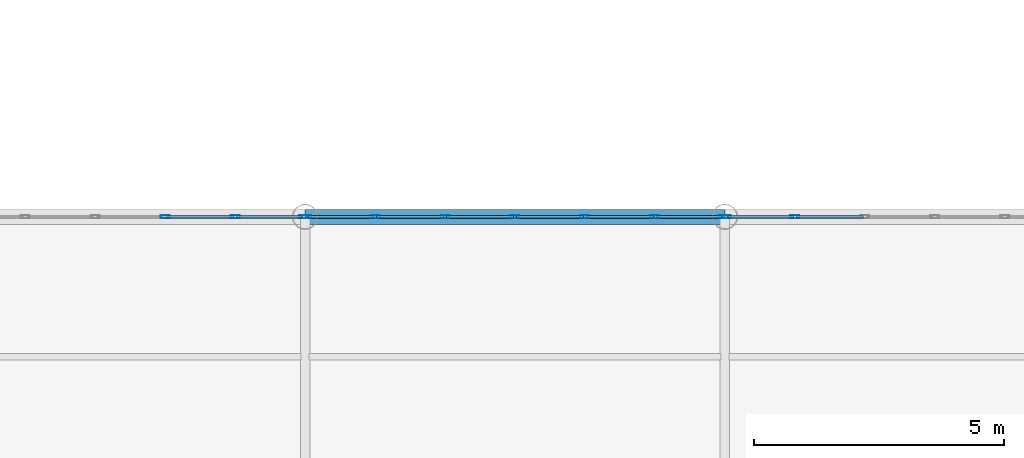
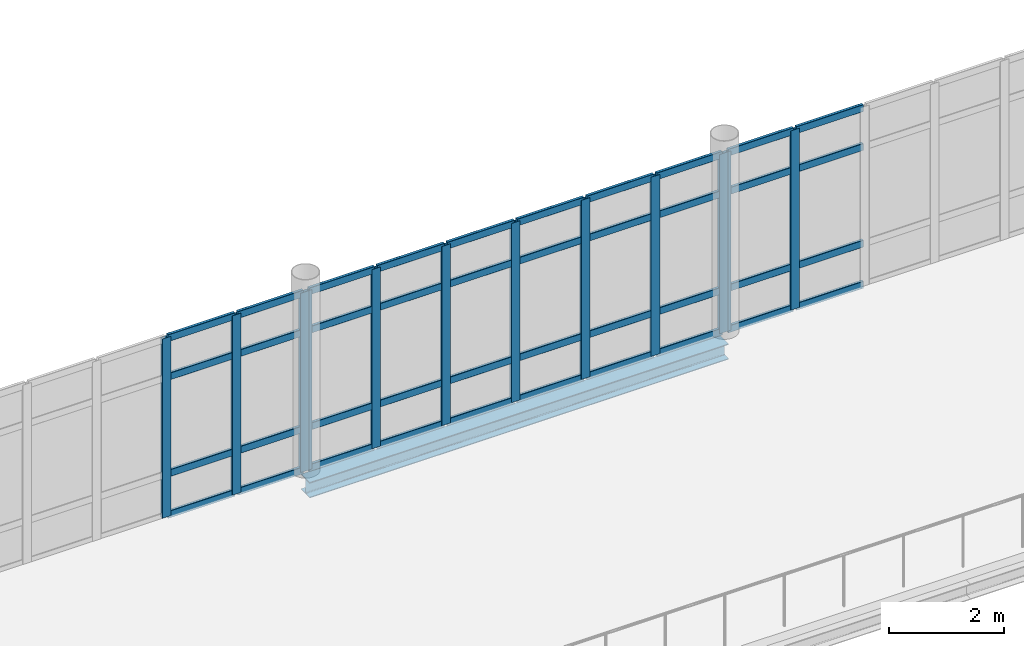
# One storey, part 67 of 163: 52 members, 1 beam, 3 elements without a shape of their own.
"""IFC4 building model written with IfcOpenShell, lengths in metres."""

from ifc_helpers import new_model, si_unit, direction, frame, origin, origin_2d, place, context, subcontext, project, spatial, hollow_rectangle, i_section, extrude, material, layer, layer_set, material_profile, profile_set, type_object, element, aggregate, save


model = new_model("IFC4")

# Units and contexts
model_context = context("Model", 3, precision=1e-05, world=origin(), true_north=direction((0.0, 1.0)))
body_context = subcontext(model_context, "Body", "Model", "MODEL_VIEW")
ifc_project = project(units=[si_unit("LENGTHUNIT", "METRE"), si_unit("AREAUNIT", "SQUARE_METRE"), si_unit("VOLUMEUNIT", "CUBIC_METRE"), si_unit("PLANEANGLEUNIT", "RADIAN"), si_unit("MASSUNIT", "GRAM", prefix="KILO")], contexts=[model_context])

# Site, building, storey
site_placement = place(None, origin())
site = spatial("IfcSite", under=ifc_project, at=site_placement, CompositionType="ELEMENT")
building_placement = place(site_placement, origin())
building = spatial("IfcBuilding", under=site, at=building_placement, Name="Qalvenar Corner Mobility Hub", CompositionType="ELEMENT")
storey_placement = place(building_placement, frame((0.0, 0.0, 4.800048828125)))
storey = spatial("IfcBuildingStorey", under=building, at=storey_placement, Name="L01", CompositionType="ELEMENT", Elevation=4.800048828125)

# Beam
ifc_material_1 = material(Name="Steel S355", Category="steel")
ifc_material_profile_1 = material_profile(ifc_material_1, i_section(OverallWidth=0.300048828125, OverallDepth=0.330078125, WebThickness=0.009521484375, FlangeThickness=0.0166015625, FilletRadius=0.027099609375, at=origin_2d()), Name="HEA340")
ifc_profile_set_1 = profile_set([ifc_material_profile_1], Name="Steel S355")
beam_type = type_object("IfcBeamType", Name="BM-SPN340", PredefinedType="SPANDREL", material=ifc_profile_set_1)
beam_placement = place(storey_placement, frame((67.199951171875, 33.60009765625, -0.344970703125), z_axis=(1.0, 0.0, 0.0), x_axis=(0.0, 1.0, 0.0)))
element("IfcBeam", 1, at=beam_placement, inside=storey, type_object=beam_type, Name="Primary Steel Girder GX-0952", PredefinedType="SPANDREL", context=body_context, shape_type="SweptSolid", body=[
    extrude(i_section(OverallWidth=0.300048828125, OverallDepth=0.330078125, WebThickness=0.009521484375, FlangeThickness=0.0166015625, FilletRadius=0.027099609375, at=origin_2d()), origin(), (0.0, 0.0, 1.0), 8.400146484375),
])

# Curtain wall, members
ifc_material_2 = material(Name="Anodised Aluminium and Low-E Glazing", Category="aluminium")
ifc_layer = layer(ifc_material_2, 0.179931640625)
ifc_layer_set = layer_set([ifc_layer], Name="Anodised Aluminium and Low-E Glazing")
curtain_wall_type = type_object("IfcCurtainWallType", Name="CW-CONC-84X42", PredefinedType="NOTDEFINED", material=ifc_layer_set)
curtain_wall_1_placement = place(storey_placement, origin())
curtain_wall_1 = element("IfcCurtainWall", 2, at=curtain_wall_1_placement, inside=storey, type_object=curtain_wall_type, Name="Glazed Curtain Wall CW-V1-L01-N1", PredefinedType="NOTDEFINED")
ifc_material_3 = material(Name="Anodised Aluminium 6063-T6", Category="aluminium")
ifc_material_profile_2 = material_profile(ifc_material_3, hollow_rectangle(XDim=0.06494140625, YDim=0.179931640625, WallThickness=0.00390625, InnerFilletRadius=0.00390625, OuterFilletRadius=0.008056640625, at=origin_2d()), Name="RHS180x65x4")
ifc_profile_set_2 = profile_set([ifc_material_profile_2], Name="Anodised Aluminium 6063-T6")
member_type_1 = type_object("IfcMemberType", Name="CW-MUL180", PredefinedType="MULLION", material=ifc_profile_set_2)
member_1_placement = place(storey_placement, frame((67.169921875, 33.60009765625, 0.0), z_axis=(0.0, 0.0, 1.0), x_axis=(0.0, -1.0, 0.0)))
member_1 = element("IfcMember", 3, at=member_1_placement, type_object=member_type_1, Name="CW-02 mullion 1", PredefinedType="MULLION", context=body_context, shape_type="SweptSolid", body=[
    extrude(hollow_rectangle(XDim=0.06494140625, YDim=0.179931640625, WallThickness=0.00390625, InnerFilletRadius=0.00390625, OuterFilletRadius=0.008056640625, at=origin_2d()), origin(), (0.0, 0.0, 1.0), 3.800048828125),
])
member_2_placement = place(storey_placement, frame((65.800048828125, 33.60009765625, 0.0), z_axis=(0.0, 0.0, 1.0), x_axis=(0.0, -1.0, 0.0)))
member_2 = element("IfcMember", 4, at=member_2_placement, type_object=member_type_1, Name="CW-02 mullion 2", PredefinedType="MULLION", context=body_context, shape_type="SweptSolid", body=[
    extrude(hollow_rectangle(XDim=0.06494140625, YDim=0.179931640625, WallThickness=0.00390625, InnerFilletRadius=0.00390625, OuterFilletRadius=0.008056640625, at=origin_2d()), origin(), (0.0, 0.0, 1.0), 3.800048828125),
])
member_3_placement = place(storey_placement, frame((64.39990234375, 33.60009765625, 0.0), z_axis=(0.0, 0.0, 1.0), x_axis=(0.0, -1.0, 0.0)))
member_3 = element("IfcMember", 5, at=member_3_placement, type_object=member_type_1, Name="CW-02 mullion 3", PredefinedType="MULLION", context=body_context, shape_type="SweptSolid", body=[
    extrude(hollow_rectangle(XDim=0.06494140625, YDim=0.179931640625, WallThickness=0.00390625, InnerFilletRadius=0.00390625, OuterFilletRadius=0.008056640625, at=origin_2d()), origin(), (0.0, 0.0, 1.0), 3.800048828125),
])

curtain_wall_2_placement = place(storey_placement, origin())
curtain_wall_2 = element("IfcCurtainWall", 6, at=curtain_wall_2_placement, inside=storey, type_object=curtain_wall_type, Name="Glazed Curtain Wall CW-V1-L01-N2", PredefinedType="NOTDEFINED")
member_4_placement = place(storey_placement, frame((75.570068359375, 33.60009765625, 0.0), z_axis=(0.0, 0.0, 1.0), x_axis=(0.0, -1.0, 0.0)))
member_4 = element("IfcMember", 7, at=member_4_placement, type_object=member_type_1, Name="CW-02 mullion 1", PredefinedType="MULLION", context=body_context, shape_type="SweptSolid", body=[
    extrude(hollow_rectangle(XDim=0.06494140625, YDim=0.179931640625, WallThickness=0.00390625, InnerFilletRadius=0.00390625, OuterFilletRadius=0.008056640625, at=origin_2d()), origin(), (0.0, 0.0, 1.0), 3.800048828125),
])
member_5_placement = place(storey_placement, frame((74.199951171875, 33.60009765625, 0.0), z_axis=(0.0, 0.0, 1.0), x_axis=(0.0, -1.0, 0.0)))
member_5 = element("IfcMember", 8, at=member_5_placement, type_object=member_type_1, Name="CW-02 mullion 2", PredefinedType="MULLION", context=body_context, shape_type="SweptSolid", body=[
    extrude(hollow_rectangle(XDim=0.06494140625, YDim=0.179931640625, WallThickness=0.00390625, InnerFilletRadius=0.00390625, OuterFilletRadius=0.008056640625, at=origin_2d()), origin(), (0.0, 0.0, 1.0), 3.800048828125),
])
member_6_placement = place(storey_placement, frame((72.800048828125, 33.60009765625, 0.0), z_axis=(0.0, 0.0, 1.0), x_axis=(0.0, -1.0, 0.0)))
member_6 = element("IfcMember", 9, at=member_6_placement, type_object=member_type_1, Name="CW-02 mullion 3", PredefinedType="MULLION", context=body_context, shape_type="SweptSolid", body=[
    extrude(hollow_rectangle(XDim=0.06494140625, YDim=0.179931640625, WallThickness=0.00390625, InnerFilletRadius=0.00390625, OuterFilletRadius=0.008056640625, at=origin_2d()), origin(), (0.0, 0.0, 1.0), 3.800048828125),
])
member_7_placement = place(storey_placement, frame((71.39990234375, 33.60009765625, 0.0), z_axis=(0.0, 0.0, 1.0), x_axis=(0.0, -1.0, 0.0)))
member_7 = element("IfcMember", 10, at=member_7_placement, type_object=member_type_1, Name="CW-02 mullion 4", PredefinedType="MULLION", context=body_context, shape_type="SweptSolid", body=[
    extrude(hollow_rectangle(XDim=0.06494140625, YDim=0.179931640625, WallThickness=0.00390625, InnerFilletRadius=0.00390625, OuterFilletRadius=0.008056640625, at=origin_2d()), origin(), (0.0, 0.0, 1.0), 3.800048828125),
])
member_8_placement = place(storey_placement, frame((70.0, 33.60009765625, 0.0), z_axis=(0.0, 0.0, 1.0), x_axis=(0.0, -1.0, 0.0)))
member_8 = element("IfcMember", 11, at=member_8_placement, type_object=member_type_1, Name="CW-02 mullion 5", PredefinedType="MULLION", context=body_context, shape_type="SweptSolid", body=[
    extrude(hollow_rectangle(XDim=0.06494140625, YDim=0.179931640625, WallThickness=0.00390625, InnerFilletRadius=0.00390625, OuterFilletRadius=0.008056640625, at=origin_2d()), origin(), (0.0, 0.0, 1.0), 3.800048828125),
])
member_9_placement = place(storey_placement, frame((68.60009765625, 33.60009765625, 0.0), z_axis=(0.0, 0.0, 1.0), x_axis=(0.0, -1.0, 0.0)))
member_9 = element("IfcMember", 12, at=member_9_placement, type_object=member_type_1, Name="CW-02 mullion 6", PredefinedType="MULLION", context=body_context, shape_type="SweptSolid", body=[
    extrude(hollow_rectangle(XDim=0.06494140625, YDim=0.179931640625, WallThickness=0.00390625, InnerFilletRadius=0.00390625, OuterFilletRadius=0.008056640625, at=origin_2d()), origin(), (0.0, 0.0, 1.0), 3.800048828125),
])
member_10_placement = place(storey_placement, frame((67.22998046875, 33.60009765625, 0.0), z_axis=(0.0, 0.0, 1.0), x_axis=(0.0, -1.0, 0.0)))
member_10 = element("IfcMember", 13, at=member_10_placement, type_object=member_type_1, Name="CW-02 mullion 7", PredefinedType="MULLION", context=body_context, shape_type="SweptSolid", body=[
    extrude(hollow_rectangle(XDim=0.06494140625, YDim=0.179931640625, WallThickness=0.00390625, InnerFilletRadius=0.00390625, OuterFilletRadius=0.008056640625, at=origin_2d()), origin(), (0.0, 0.0, 1.0), 3.800048828125),
])

curtain_wall_3_placement = place(storey_placement, origin())
curtain_wall_3 = element("IfcCurtainWall", 14, at=curtain_wall_3_placement, inside=storey, type_object=curtain_wall_type, Name="Glazed Curtain Wall CW-V1-L01-N3", PredefinedType="NOTDEFINED")
member_11_placement = place(storey_placement, frame((77.0, 33.60009765625, 0.0), z_axis=(0.0, 0.0, 1.0), x_axis=(0.0, -1.0, 0.0)))
member_11 = element("IfcMember", 15, at=member_11_placement, type_object=member_type_1, Name="CW-02 mullion 6", PredefinedType="MULLION", context=body_context, shape_type="SweptSolid", body=[
    extrude(hollow_rectangle(XDim=0.06494140625, YDim=0.179931640625, WallThickness=0.00390625, InnerFilletRadius=0.00390625, OuterFilletRadius=0.008056640625, at=origin_2d()), origin(), (0.0, 0.0, 1.0), 3.800048828125),
])
member_12_placement = place(storey_placement, frame((75.6298828125, 33.60009765625, 0.0), z_axis=(0.0, 0.0, 1.0), x_axis=(0.0, -1.0, 0.0)))
member_12 = element("IfcMember", 16, at=member_12_placement, type_object=member_type_1, Name="CW-02 mullion 7", PredefinedType="MULLION", context=body_context, shape_type="SweptSolid", body=[
    extrude(hollow_rectangle(XDim=0.06494140625, YDim=0.179931640625, WallThickness=0.00390625, InnerFilletRadius=0.00390625, OuterFilletRadius=0.008056640625, at=origin_2d()), origin(), (0.0, 0.0, 1.0), 3.800048828125),
])

# Member
ifc_material_profile_3 = material_profile(ifc_material_3, hollow_rectangle(XDim=0.06005859375, YDim=0.14990234375, WallThickness=0.00341796875, InnerFilletRadius=0.00341796875, OuterFilletRadius=0.007080078125, at=origin_2d()), Name="RHS150x60x3.5")
ifc_profile_set_3 = profile_set([ifc_material_profile_3], Name="Anodised Aluminium 6063-T6")
member_type_2 = type_object("IfcMemberType", Name="CW-TRN150", PredefinedType="USERDEFINED", material=ifc_profile_set_3)
member_13_placement = place(storey_placement, frame((67.139892578125, 33.60009765625, 0.02734375), z_axis=(-1.0, 0.0, 0.0), x_axis=(0.0, -1.0, 0.0)))
member_13 = element("IfcMember", 17, at=member_13_placement, type_object=member_type_2, Name="CW-02 transom 1.1", ObjectType="TRANSOM", PredefinedType="USERDEFINED", context=body_context, shape_type="SweptSolid", body=[
    extrude(hollow_rectangle(XDim=0.06005859375, YDim=0.14990234375, WallThickness=0.00341796875, InnerFilletRadius=0.00341796875, OuterFilletRadius=0.007080078125, at=origin_2d()), origin(), (0.0, 0.0, 1.0), 1.309814453125),
])

member_14_placement = place(storey_placement, frame((67.139892578125, 33.60009765625, 0.89990234375), z_axis=(-1.0, 0.0, 0.0), x_axis=(0.0, -1.0, 0.0)))
member_14 = element("IfcMember", 18, at=member_14_placement, type_object=member_type_2, Name="CW-02 transom 1.2", ObjectType="TRANSOM", PredefinedType="USERDEFINED", context=body_context, shape_type="SweptSolid", body=[
    extrude(hollow_rectangle(XDim=0.06005859375, YDim=0.14990234375, WallThickness=0.00341796875, InnerFilletRadius=0.00341796875, OuterFilletRadius=0.007080078125, at=origin_2d()), origin(), (0.0, 0.0, 1.0), 1.309814453125),
])

member_15_placement = place(storey_placement, frame((67.139892578125, 33.60009765625, 2.949951171875), z_axis=(-1.0, 0.0, 0.0), x_axis=(0.0, -1.0, 0.0)))
member_15 = element("IfcMember", 19, at=member_15_placement, type_object=member_type_2, Name="CW-02 transom 1.3", ObjectType="TRANSOM", PredefinedType="USERDEFINED", context=body_context, shape_type="SweptSolid", body=[
    extrude(hollow_rectangle(XDim=0.06005859375, YDim=0.14990234375, WallThickness=0.00341796875, InnerFilletRadius=0.00341796875, OuterFilletRadius=0.007080078125, at=origin_2d()), origin(), (0.0, 0.0, 1.0), 1.309814453125),
])

member_16_placement = place(storey_placement, frame((67.139892578125, 33.60009765625, 3.7724609375), z_axis=(-1.0, 0.0, 0.0), x_axis=(0.0, -1.0, 0.0)))
member_16 = element("IfcMember", 20, at=member_16_placement, type_object=member_type_2, Name="CW-02 transom 1.4", ObjectType="TRANSOM", PredefinedType="USERDEFINED", context=body_context, shape_type="SweptSolid", body=[
    extrude(hollow_rectangle(XDim=0.06005859375, YDim=0.14990234375, WallThickness=0.00341796875, InnerFilletRadius=0.00341796875, OuterFilletRadius=0.007080078125, at=origin_2d()), origin(), (0.0, 0.0, 1.0), 1.309814453125),
])

member_17_placement = place(storey_placement, frame((65.77001953125, 33.60009765625, 0.02734375), z_axis=(-1.0, 0.0, 0.0), x_axis=(0.0, -1.0, 0.0)))
member_17 = element("IfcMember", 21, at=member_17_placement, type_object=member_type_2, Name="CW-02 transom 2.1", ObjectType="TRANSOM", PredefinedType="USERDEFINED", context=body_context, shape_type="SweptSolid", body=[
    extrude(hollow_rectangle(XDim=0.06005859375, YDim=0.14990234375, WallThickness=0.00341796875, InnerFilletRadius=0.00341796875, OuterFilletRadius=0.007080078125, at=origin_2d()), origin(), (0.0, 0.0, 1.0), 1.340087890625),
])

member_18_placement = place(storey_placement, frame((65.77001953125, 33.60009765625, 0.89990234375), z_axis=(-1.0, 0.0, 0.0), x_axis=(0.0, -1.0, 0.0)))
member_18 = element("IfcMember", 22, at=member_18_placement, type_object=member_type_2, Name="CW-02 transom 2.2", ObjectType="TRANSOM", PredefinedType="USERDEFINED", context=body_context, shape_type="SweptSolid", body=[
    extrude(hollow_rectangle(XDim=0.06005859375, YDim=0.14990234375, WallThickness=0.00341796875, InnerFilletRadius=0.00341796875, OuterFilletRadius=0.007080078125, at=origin_2d()), origin(), (0.0, 0.0, 1.0), 1.340087890625),
])

member_19_placement = place(storey_placement, frame((65.77001953125, 33.60009765625, 2.949951171875), z_axis=(-1.0, 0.0, 0.0), x_axis=(0.0, -1.0, 0.0)))
member_19 = element("IfcMember", 23, at=member_19_placement, type_object=member_type_2, Name="CW-02 transom 2.3", ObjectType="TRANSOM", PredefinedType="USERDEFINED", context=body_context, shape_type="SweptSolid", body=[
    extrude(hollow_rectangle(XDim=0.06005859375, YDim=0.14990234375, WallThickness=0.00341796875, InnerFilletRadius=0.00341796875, OuterFilletRadius=0.007080078125, at=origin_2d()), origin(), (0.0, 0.0, 1.0), 1.340087890625),
])

member_20_placement = place(storey_placement, frame((65.77001953125, 33.60009765625, 3.7724609375), z_axis=(-1.0, 0.0, 0.0), x_axis=(0.0, -1.0, 0.0)))
member_20 = element("IfcMember", 24, at=member_20_placement, type_object=member_type_2, Name="CW-02 transom 2.4", ObjectType="TRANSOM", PredefinedType="USERDEFINED", context=body_context, shape_type="SweptSolid", body=[
    extrude(hollow_rectangle(XDim=0.06005859375, YDim=0.14990234375, WallThickness=0.00341796875, InnerFilletRadius=0.00341796875, OuterFilletRadius=0.007080078125, at=origin_2d()), origin(), (0.0, 0.0, 1.0), 1.340087890625),
])

aggregate(curtain_wall_1, [member_1, member_2, member_3, member_13, member_14, member_15, member_16, member_17, member_18, member_19, member_20])

member_21_placement = place(storey_placement, frame((75.5400390625, 33.60009765625, 0.02734375), z_axis=(-1.0, 0.0, 0.0), x_axis=(0.0, -1.0, 0.0)))
member_21 = element("IfcMember", 25, at=member_21_placement, type_object=member_type_2, Name="CW-02 transom 1.1", ObjectType="TRANSOM", PredefinedType="USERDEFINED", context=body_context, shape_type="SweptSolid", body=[
    extrude(hollow_rectangle(XDim=0.06005859375, YDim=0.14990234375, WallThickness=0.00341796875, InnerFilletRadius=0.00341796875, OuterFilletRadius=0.007080078125, at=origin_2d()), origin(), (0.0, 0.0, 1.0), 1.31005859375),
])

member_22_placement = place(storey_placement, frame((75.5400390625, 33.60009765625, 0.89990234375), z_axis=(-1.0, 0.0, 0.0), x_axis=(0.0, -1.0, 0.0)))
member_22 = element("IfcMember", 26, at=member_22_placement, type_object=member_type_2, Name="CW-02 transom 1.2", ObjectType="TRANSOM", PredefinedType="USERDEFINED", context=body_context, shape_type="SweptSolid", body=[
    extrude(hollow_rectangle(XDim=0.06005859375, YDim=0.14990234375, WallThickness=0.00341796875, InnerFilletRadius=0.00341796875, OuterFilletRadius=0.007080078125, at=origin_2d()), origin(), (0.0, 0.0, 1.0), 1.31005859375),
])

member_23_placement = place(storey_placement, frame((75.5400390625, 33.60009765625, 2.949951171875), z_axis=(-1.0, 0.0, 0.0), x_axis=(0.0, -1.0, 0.0)))
member_23 = element("IfcMember", 27, at=member_23_placement, type_object=member_type_2, Name="CW-02 transom 1.3", ObjectType="TRANSOM", PredefinedType="USERDEFINED", context=body_context, shape_type="SweptSolid", body=[
    extrude(hollow_rectangle(XDim=0.06005859375, YDim=0.14990234375, WallThickness=0.00341796875, InnerFilletRadius=0.00341796875, OuterFilletRadius=0.007080078125, at=origin_2d()), origin(), (0.0, 0.0, 1.0), 1.31005859375),
])

member_24_placement = place(storey_placement, frame((75.5400390625, 33.60009765625, 3.7724609375), z_axis=(-1.0, 0.0, 0.0), x_axis=(0.0, -1.0, 0.0)))
member_24 = element("IfcMember", 28, at=member_24_placement, type_object=member_type_2, Name="CW-02 transom 1.4", ObjectType="TRANSOM", PredefinedType="USERDEFINED", context=body_context, shape_type="SweptSolid", body=[
    extrude(hollow_rectangle(XDim=0.06005859375, YDim=0.14990234375, WallThickness=0.00341796875, InnerFilletRadius=0.00341796875, OuterFilletRadius=0.007080078125, at=origin_2d()), origin(), (0.0, 0.0, 1.0), 1.31005859375),
])

member_25_placement = place(storey_placement, frame((74.169921875, 33.60009765625, 0.02734375), z_axis=(-1.0, 0.0, 0.0), x_axis=(0.0, -1.0, 0.0)))
member_25 = element("IfcMember", 29, at=member_25_placement, type_object=member_type_2, Name="CW-02 transom 2.1", ObjectType="TRANSOM", PredefinedType="USERDEFINED", context=body_context, shape_type="SweptSolid", body=[
    extrude(hollow_rectangle(XDim=0.06005859375, YDim=0.14990234375, WallThickness=0.00341796875, InnerFilletRadius=0.00341796875, OuterFilletRadius=0.007080078125, at=origin_2d()), origin(), (0.0, 0.0, 1.0), 1.33984375),
])

member_26_placement = place(storey_placement, frame((74.169921875, 33.60009765625, 0.89990234375), z_axis=(-1.0, 0.0, 0.0), x_axis=(0.0, -1.0, 0.0)))
member_26 = element("IfcMember", 30, at=member_26_placement, type_object=member_type_2, Name="CW-02 transom 2.2", ObjectType="TRANSOM", PredefinedType="USERDEFINED", context=body_context, shape_type="SweptSolid", body=[
    extrude(hollow_rectangle(XDim=0.06005859375, YDim=0.14990234375, WallThickness=0.00341796875, InnerFilletRadius=0.00341796875, OuterFilletRadius=0.007080078125, at=origin_2d()), origin(), (0.0, 0.0, 1.0), 1.33984375),
])

member_27_placement = place(storey_placement, frame((74.169921875, 33.60009765625, 2.949951171875), z_axis=(-1.0, 0.0, 0.0), x_axis=(0.0, -1.0, 0.0)))
member_27 = element("IfcMember", 31, at=member_27_placement, type_object=member_type_2, Name="CW-02 transom 2.3", ObjectType="TRANSOM", PredefinedType="USERDEFINED", context=body_context, shape_type="SweptSolid", body=[
    extrude(hollow_rectangle(XDim=0.06005859375, YDim=0.14990234375, WallThickness=0.00341796875, InnerFilletRadius=0.00341796875, OuterFilletRadius=0.007080078125, at=origin_2d()), origin(), (0.0, 0.0, 1.0), 1.33984375),
])

member_28_placement = place(storey_placement, frame((74.169921875, 33.60009765625, 3.7724609375), z_axis=(-1.0, 0.0, 0.0), x_axis=(0.0, -1.0, 0.0)))
member_28 = element("IfcMember", 32, at=member_28_placement, type_object=member_type_2, Name="CW-02 transom 2.4", ObjectType="TRANSOM", PredefinedType="USERDEFINED", context=body_context, shape_type="SweptSolid", body=[
    extrude(hollow_rectangle(XDim=0.06005859375, YDim=0.14990234375, WallThickness=0.00341796875, InnerFilletRadius=0.00341796875, OuterFilletRadius=0.007080078125, at=origin_2d()), origin(), (0.0, 0.0, 1.0), 1.33984375),
])

member_29_placement = place(storey_placement, frame((72.77001953125, 33.60009765625, 0.02734375), z_axis=(-1.0, 0.0, 0.0), x_axis=(0.0, -1.0, 0.0)))
member_29 = element("IfcMember", 33, at=member_29_placement, type_object=member_type_2, Name="CW-02 transom 3.1", ObjectType="TRANSOM", PredefinedType="USERDEFINED", context=body_context, shape_type="SweptSolid", body=[
    extrude(hollow_rectangle(XDim=0.06005859375, YDim=0.14990234375, WallThickness=0.00341796875, InnerFilletRadius=0.00341796875, OuterFilletRadius=0.007080078125, at=origin_2d()), origin(), (0.0, 0.0, 1.0), 1.340087890625),
])

member_30_placement = place(storey_placement, frame((72.77001953125, 33.60009765625, 0.89990234375), z_axis=(-1.0, 0.0, 0.0), x_axis=(0.0, -1.0, 0.0)))
member_30 = element("IfcMember", 34, at=member_30_placement, type_object=member_type_2, Name="CW-02 transom 3.2", ObjectType="TRANSOM", PredefinedType="USERDEFINED", context=body_context, shape_type="SweptSolid", body=[
    extrude(hollow_rectangle(XDim=0.06005859375, YDim=0.14990234375, WallThickness=0.00341796875, InnerFilletRadius=0.00341796875, OuterFilletRadius=0.007080078125, at=origin_2d()), origin(), (0.0, 0.0, 1.0), 1.340087890625),
])

member_31_placement = place(storey_placement, frame((72.77001953125, 33.60009765625, 2.949951171875), z_axis=(-1.0, 0.0, 0.0), x_axis=(0.0, -1.0, 0.0)))
member_31 = element("IfcMember", 35, at=member_31_placement, type_object=member_type_2, Name="CW-02 transom 3.3", ObjectType="TRANSOM", PredefinedType="USERDEFINED", context=body_context, shape_type="SweptSolid", body=[
    extrude(hollow_rectangle(XDim=0.06005859375, YDim=0.14990234375, WallThickness=0.00341796875, InnerFilletRadius=0.00341796875, OuterFilletRadius=0.007080078125, at=origin_2d()), origin(), (0.0, 0.0, 1.0), 1.340087890625),
])

member_32_placement = place(storey_placement, frame((72.77001953125, 33.60009765625, 3.7724609375), z_axis=(-1.0, 0.0, 0.0), x_axis=(0.0, -1.0, 0.0)))
member_32 = element("IfcMember", 36, at=member_32_placement, type_object=member_type_2, Name="CW-02 transom 3.4", ObjectType="TRANSOM", PredefinedType="USERDEFINED", context=body_context, shape_type="SweptSolid", body=[
    extrude(hollow_rectangle(XDim=0.06005859375, YDim=0.14990234375, WallThickness=0.00341796875, InnerFilletRadius=0.00341796875, OuterFilletRadius=0.007080078125, at=origin_2d()), origin(), (0.0, 0.0, 1.0), 1.340087890625),
])

member_33_placement = place(storey_placement, frame((71.3701171875, 33.60009765625, 0.02734375), z_axis=(-1.0, 0.0, 0.0), x_axis=(0.0, -1.0, 0.0)))
member_33 = element("IfcMember", 37, at=member_33_placement, type_object=member_type_2, Name="CW-02 transom 4.1", ObjectType="TRANSOM", PredefinedType="USERDEFINED", context=body_context, shape_type="SweptSolid", body=[
    extrude(hollow_rectangle(XDim=0.06005859375, YDim=0.14990234375, WallThickness=0.00341796875, InnerFilletRadius=0.00341796875, OuterFilletRadius=0.007080078125, at=origin_2d()), origin(), (0.0, 0.0, 1.0), 1.340087890625),
])

member_34_placement = place(storey_placement, frame((71.3701171875, 33.60009765625, 0.89990234375), z_axis=(-1.0, 0.0, 0.0), x_axis=(0.0, -1.0, 0.0)))
member_34 = element("IfcMember", 38, at=member_34_placement, type_object=member_type_2, Name="CW-02 transom 4.2", ObjectType="TRANSOM", PredefinedType="USERDEFINED", context=body_context, shape_type="SweptSolid", body=[
    extrude(hollow_rectangle(XDim=0.06005859375, YDim=0.14990234375, WallThickness=0.00341796875, InnerFilletRadius=0.00341796875, OuterFilletRadius=0.007080078125, at=origin_2d()), origin(), (0.0, 0.0, 1.0), 1.340087890625),
])

member_35_placement = place(storey_placement, frame((71.3701171875, 33.60009765625, 2.949951171875), z_axis=(-1.0, 0.0, 0.0), x_axis=(0.0, -1.0, 0.0)))
member_35 = element("IfcMember", 39, at=member_35_placement, type_object=member_type_2, Name="CW-02 transom 4.3", ObjectType="TRANSOM", PredefinedType="USERDEFINED", context=body_context, shape_type="SweptSolid", body=[
    extrude(hollow_rectangle(XDim=0.06005859375, YDim=0.14990234375, WallThickness=0.00341796875, InnerFilletRadius=0.00341796875, OuterFilletRadius=0.007080078125, at=origin_2d()), origin(), (0.0, 0.0, 1.0), 1.340087890625),
])

member_36_placement = place(storey_placement, frame((71.3701171875, 33.60009765625, 3.7724609375), z_axis=(-1.0, 0.0, 0.0), x_axis=(0.0, -1.0, 0.0)))
member_36 = element("IfcMember", 40, at=member_36_placement, type_object=member_type_2, Name="CW-02 transom 4.4", ObjectType="TRANSOM", PredefinedType="USERDEFINED", context=body_context, shape_type="SweptSolid", body=[
    extrude(hollow_rectangle(XDim=0.06005859375, YDim=0.14990234375, WallThickness=0.00341796875, InnerFilletRadius=0.00341796875, OuterFilletRadius=0.007080078125, at=origin_2d()), origin(), (0.0, 0.0, 1.0), 1.340087890625),
])

member_37_placement = place(storey_placement, frame((69.969970703125, 33.60009765625, 0.02734375), z_axis=(-1.0, 0.0, 0.0), x_axis=(0.0, -1.0, 0.0)))
member_37 = element("IfcMember", 41, at=member_37_placement, type_object=member_type_2, Name="CW-02 transom 5.1", ObjectType="TRANSOM", PredefinedType="USERDEFINED", context=body_context, shape_type="SweptSolid", body=[
    extrude(hollow_rectangle(XDim=0.06005859375, YDim=0.14990234375, WallThickness=0.00341796875, InnerFilletRadius=0.00341796875, OuterFilletRadius=0.007080078125, at=origin_2d()), origin(), (0.0, 0.0, 1.0), 1.340087890625),
])

member_38_placement = place(storey_placement, frame((69.969970703125, 33.60009765625, 0.89990234375), z_axis=(-1.0, 0.0, 0.0), x_axis=(0.0, -1.0, 0.0)))
member_38 = element("IfcMember", 42, at=member_38_placement, type_object=member_type_2, Name="CW-02 transom 5.2", ObjectType="TRANSOM", PredefinedType="USERDEFINED", context=body_context, shape_type="SweptSolid", body=[
    extrude(hollow_rectangle(XDim=0.06005859375, YDim=0.14990234375, WallThickness=0.00341796875, InnerFilletRadius=0.00341796875, OuterFilletRadius=0.007080078125, at=origin_2d()), origin(), (0.0, 0.0, 1.0), 1.340087890625),
])

member_39_placement = place(storey_placement, frame((69.969970703125, 33.60009765625, 2.949951171875), z_axis=(-1.0, 0.0, 0.0), x_axis=(0.0, -1.0, 0.0)))
member_39 = element("IfcMember", 43, at=member_39_placement, type_object=member_type_2, Name="CW-02 transom 5.3", ObjectType="TRANSOM", PredefinedType="USERDEFINED", context=body_context, shape_type="SweptSolid", body=[
    extrude(hollow_rectangle(XDim=0.06005859375, YDim=0.14990234375, WallThickness=0.00341796875, InnerFilletRadius=0.00341796875, OuterFilletRadius=0.007080078125, at=origin_2d()), origin(), (0.0, 0.0, 1.0), 1.340087890625),
])

member_40_placement = place(storey_placement, frame((69.969970703125, 33.60009765625, 3.7724609375), z_axis=(-1.0, 0.0, 0.0), x_axis=(0.0, -1.0, 0.0)))
member_40 = element("IfcMember", 44, at=member_40_placement, type_object=member_type_2, Name="CW-02 transom 5.4", ObjectType="TRANSOM", PredefinedType="USERDEFINED", context=body_context, shape_type="SweptSolid", body=[
    extrude(hollow_rectangle(XDim=0.06005859375, YDim=0.14990234375, WallThickness=0.00341796875, InnerFilletRadius=0.00341796875, OuterFilletRadius=0.007080078125, at=origin_2d()), origin(), (0.0, 0.0, 1.0), 1.340087890625),
])

member_41_placement = place(storey_placement, frame((68.570068359375, 33.60009765625, 0.02734375), z_axis=(-1.0, 0.0, 0.0), x_axis=(0.0, -1.0, 0.0)))
member_41 = element("IfcMember", 45, at=member_41_placement, type_object=member_type_2, Name="CW-02 transom 6.1", ObjectType="TRANSOM", PredefinedType="USERDEFINED", context=body_context, shape_type="SweptSolid", body=[
    extrude(hollow_rectangle(XDim=0.06005859375, YDim=0.14990234375, WallThickness=0.00341796875, InnerFilletRadius=0.00341796875, OuterFilletRadius=0.007080078125, at=origin_2d()), origin(), (0.0, 0.0, 1.0), 1.31005859375),
])

member_42_placement = place(storey_placement, frame((68.570068359375, 33.60009765625, 0.89990234375), z_axis=(-1.0, 0.0, 0.0), x_axis=(0.0, -1.0, 0.0)))
member_42 = element("IfcMember", 46, at=member_42_placement, type_object=member_type_2, Name="CW-02 transom 6.2", ObjectType="TRANSOM", PredefinedType="USERDEFINED", context=body_context, shape_type="SweptSolid", body=[
    extrude(hollow_rectangle(XDim=0.06005859375, YDim=0.14990234375, WallThickness=0.00341796875, InnerFilletRadius=0.00341796875, OuterFilletRadius=0.007080078125, at=origin_2d()), origin(), (0.0, 0.0, 1.0), 1.31005859375),
])

member_43_placement = place(storey_placement, frame((68.570068359375, 33.60009765625, 2.949951171875), z_axis=(-1.0, 0.0, 0.0), x_axis=(0.0, -1.0, 0.0)))
member_43 = element("IfcMember", 47, at=member_43_placement, type_object=member_type_2, Name="CW-02 transom 6.3", ObjectType="TRANSOM", PredefinedType="USERDEFINED", context=body_context, shape_type="SweptSolid", body=[
    extrude(hollow_rectangle(XDim=0.06005859375, YDim=0.14990234375, WallThickness=0.00341796875, InnerFilletRadius=0.00341796875, OuterFilletRadius=0.007080078125, at=origin_2d()), origin(), (0.0, 0.0, 1.0), 1.31005859375),
])

member_44_placement = place(storey_placement, frame((68.570068359375, 33.60009765625, 3.7724609375), z_axis=(-1.0, 0.0, 0.0), x_axis=(0.0, -1.0, 0.0)))
member_44 = element("IfcMember", 48, at=member_44_placement, type_object=member_type_2, Name="CW-02 transom 6.4", ObjectType="TRANSOM", PredefinedType="USERDEFINED", context=body_context, shape_type="SweptSolid", body=[
    extrude(hollow_rectangle(XDim=0.06005859375, YDim=0.14990234375, WallThickness=0.00341796875, InnerFilletRadius=0.00341796875, OuterFilletRadius=0.007080078125, at=origin_2d()), origin(), (0.0, 0.0, 1.0), 1.31005859375),
])

aggregate(curtain_wall_2, [member_4, member_5, member_6, member_7, member_8, member_9, member_10, member_21, member_22, member_23, member_24, member_25, member_26, member_27, member_28, member_29, member_30, member_31, member_32, member_33, member_34, member_35, member_36, member_37, member_38, member_39, member_40, member_41, member_42, member_43, member_44])

member_45_placement = place(storey_placement, frame((78.3701171875, 33.60009765625, 0.02734375), z_axis=(-1.0, 0.0, 0.0), x_axis=(0.0, -1.0, 0.0)))
member_45 = element("IfcMember", 49, at=member_45_placement, type_object=member_type_2, Name="CW-02 transom 5.1", ObjectType="TRANSOM", PredefinedType="USERDEFINED", context=body_context, shape_type="SweptSolid", body=[
    extrude(hollow_rectangle(XDim=0.06005859375, YDim=0.14990234375, WallThickness=0.00341796875, InnerFilletRadius=0.00341796875, OuterFilletRadius=0.007080078125, at=origin_2d()), origin(), (0.0, 0.0, 1.0), 1.340087890625),
])

member_46_placement = place(storey_placement, frame((78.3701171875, 33.60009765625, 0.89990234375), z_axis=(-1.0, 0.0, 0.0), x_axis=(0.0, -1.0, 0.0)))
member_46 = element("IfcMember", 50, at=member_46_placement, type_object=member_type_2, Name="CW-02 transom 5.2", ObjectType="TRANSOM", PredefinedType="USERDEFINED", context=body_context, shape_type="SweptSolid", body=[
    extrude(hollow_rectangle(XDim=0.06005859375, YDim=0.14990234375, WallThickness=0.00341796875, InnerFilletRadius=0.00341796875, OuterFilletRadius=0.007080078125, at=origin_2d()), origin(), (0.0, 0.0, 1.0), 1.340087890625),
])

member_47_placement = place(storey_placement, frame((78.3701171875, 33.60009765625, 2.949951171875), z_axis=(-1.0, 0.0, 0.0), x_axis=(0.0, -1.0, 0.0)))
member_47 = element("IfcMember", 51, at=member_47_placement, type_object=member_type_2, Name="CW-02 transom 5.3", ObjectType="TRANSOM", PredefinedType="USERDEFINED", context=body_context, shape_type="SweptSolid", body=[
    extrude(hollow_rectangle(XDim=0.06005859375, YDim=0.14990234375, WallThickness=0.00341796875, InnerFilletRadius=0.00341796875, OuterFilletRadius=0.007080078125, at=origin_2d()), origin(), (0.0, 0.0, 1.0), 1.340087890625),
])

member_48_placement = place(storey_placement, frame((78.3701171875, 33.60009765625, 3.7724609375), z_axis=(-1.0, 0.0, 0.0), x_axis=(0.0, -1.0, 0.0)))
member_48 = element("IfcMember", 52, at=member_48_placement, type_object=member_type_2, Name="CW-02 transom 5.4", ObjectType="TRANSOM", PredefinedType="USERDEFINED", context=body_context, shape_type="SweptSolid", body=[
    extrude(hollow_rectangle(XDim=0.06005859375, YDim=0.14990234375, WallThickness=0.00341796875, InnerFilletRadius=0.00341796875, OuterFilletRadius=0.007080078125, at=origin_2d()), origin(), (0.0, 0.0, 1.0), 1.340087890625),
])

member_49_placement = place(storey_placement, frame((76.969970703125, 33.60009765625, 0.02734375), z_axis=(-1.0, 0.0, 0.0), x_axis=(0.0, -1.0, 0.0)))
member_49 = element("IfcMember", 53, at=member_49_placement, type_object=member_type_2, Name="CW-02 transom 6.1", ObjectType="TRANSOM", PredefinedType="USERDEFINED", context=body_context, shape_type="SweptSolid", body=[
    extrude(hollow_rectangle(XDim=0.06005859375, YDim=0.14990234375, WallThickness=0.00341796875, InnerFilletRadius=0.00341796875, OuterFilletRadius=0.007080078125, at=origin_2d()), origin(), (0.0, 0.0, 1.0), 1.31005859375),
])

member_50_placement = place(storey_placement, frame((76.969970703125, 33.60009765625, 0.89990234375), z_axis=(-1.0, 0.0, 0.0), x_axis=(0.0, -1.0, 0.0)))
member_50 = element("IfcMember", 54, at=member_50_placement, type_object=member_type_2, Name="CW-02 transom 6.2", ObjectType="TRANSOM", PredefinedType="USERDEFINED", context=body_context, shape_type="SweptSolid", body=[
    extrude(hollow_rectangle(XDim=0.06005859375, YDim=0.14990234375, WallThickness=0.00341796875, InnerFilletRadius=0.00341796875, OuterFilletRadius=0.007080078125, at=origin_2d()), origin(), (0.0, 0.0, 1.0), 1.31005859375),
])

member_51_placement = place(storey_placement, frame((76.969970703125, 33.60009765625, 2.949951171875), z_axis=(-1.0, 0.0, 0.0), x_axis=(0.0, -1.0, 0.0)))
member_51 = element("IfcMember", 55, at=member_51_placement, type_object=member_type_2, Name="CW-02 transom 6.3", ObjectType="TRANSOM", PredefinedType="USERDEFINED", context=body_context, shape_type="SweptSolid", body=[
    extrude(hollow_rectangle(XDim=0.06005859375, YDim=0.14990234375, WallThickness=0.00341796875, InnerFilletRadius=0.00341796875, OuterFilletRadius=0.007080078125, at=origin_2d()), origin(), (0.0, 0.0, 1.0), 1.31005859375),
])

member_52_placement = place(storey_placement, frame((76.969970703125, 33.60009765625, 3.7724609375), z_axis=(-1.0, 0.0, 0.0), x_axis=(0.0, -1.0, 0.0)))
member_52 = element("IfcMember", 56, at=member_52_placement, type_object=member_type_2, Name="CW-02 transom 6.4", ObjectType="TRANSOM", PredefinedType="USERDEFINED", context=body_context, shape_type="SweptSolid", body=[
    extrude(hollow_rectangle(XDim=0.06005859375, YDim=0.14990234375, WallThickness=0.00341796875, InnerFilletRadius=0.00341796875, OuterFilletRadius=0.007080078125, at=origin_2d()), origin(), (0.0, 0.0, 1.0), 1.31005859375),
])

aggregate(curtain_wall_3, [member_11, member_12, member_45, member_46, member_47, member_48, member_49, member_50, member_51, member_52])

save(model, "model.ifc")
